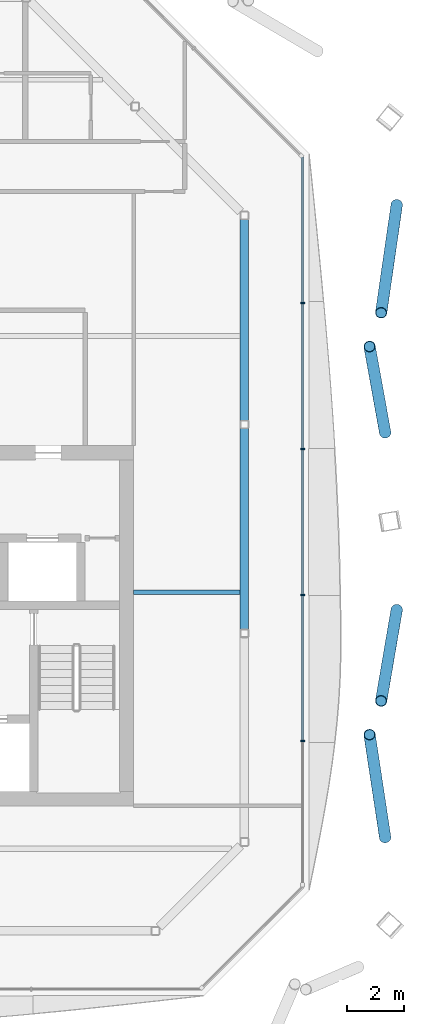
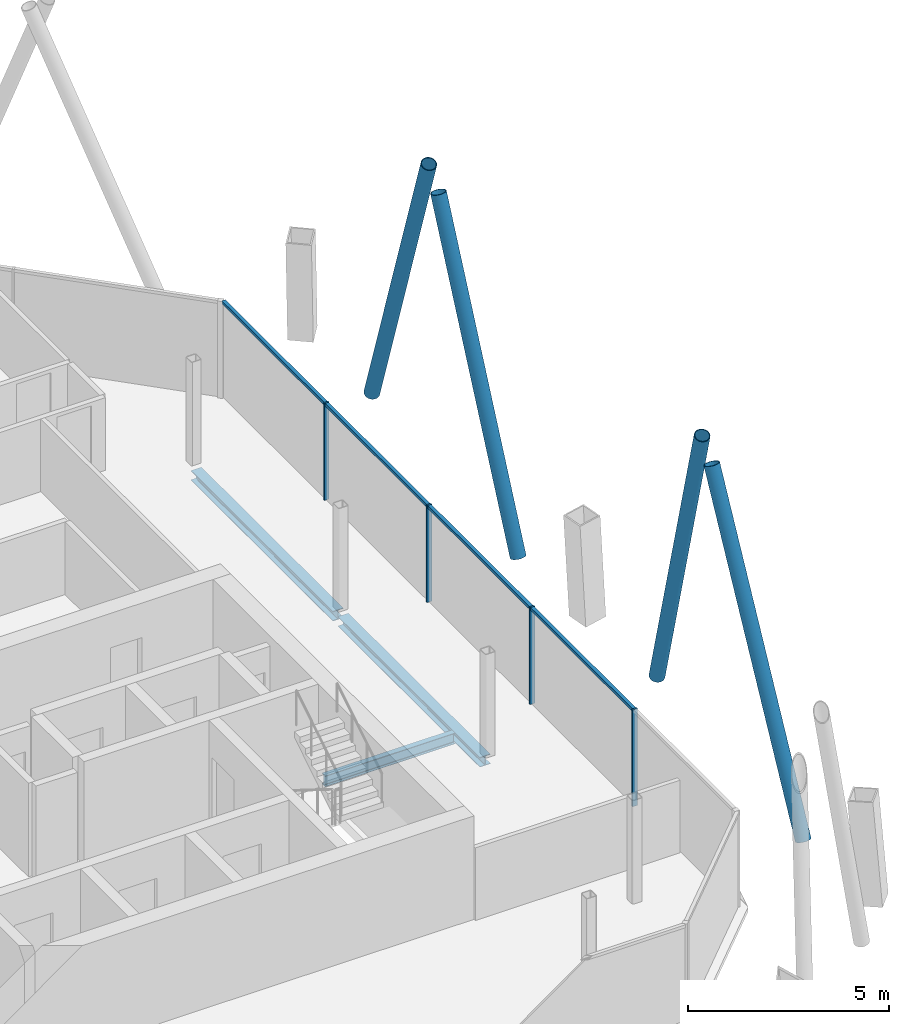
# One storey, part 8 of 17: 12 members, 3 beams, 1 element without a shape of its own.
"""IFC4 building model written with IfcOpenShell, lengths in metres."""

from ifc_helpers import new_model, si_unit, direction, frame, origin, origin_2d, place, context, subcontext, project, spatial, rectangle, hollow_circle, i_section, extrude, material, material_profile, profile_set, type_object, element, aggregate, save


model = new_model("IFC4")

# Units and contexts
model_context = context("Model", 3, precision=1e-05, world=origin(), true_north=direction((0.0, 1.0)))
body_context = subcontext(model_context, "Body", "Model", "MODEL_VIEW")
ifc_project = project(units=[si_unit("LENGTHUNIT", "METRE"), si_unit("AREAUNIT", "SQUARE_METRE"), si_unit("VOLUMEUNIT", "CUBIC_METRE"), si_unit("PLANEANGLEUNIT", "RADIAN"), si_unit("MASSUNIT", "GRAM", prefix="KILO")], contexts=[model_context])

# Site, building, storey
site_placement = place(None, origin())
site = spatial("IfcSite", under=ifc_project, at=site_placement, CompositionType="ELEMENT")
building_placement = place(site_placement, origin())
building = spatial("IfcBuilding", under=site, at=building_placement, Name="Tskaro Facet Tower", CompositionType="ELEMENT")
storey_placement = place(building_placement, frame((0.0, 0.0, 226.64990234375)))
storey = spatial("IfcBuildingStorey", under=building, at=storey_placement, Name="L58", CompositionType="ELEMENT", Elevation=226.64990234375)

# Members
ifc_material_1 = material(Name="Steel S355J2H", Category="steel")
ifc_material_profile_1 = material_profile(ifc_material_1, hollow_circle(Radius=0.203125, WallThickness=0.02001953125, at=origin_2d()), Name="CHS 406.4x20")
ifc_profile_set_1 = profile_set([ifc_material_profile_1], Name="Steel S355J2H")
member_type_1 = type_object("IfcMemberType", Name="CHS 406.4x20 brace", PredefinedType="BRACE", material=ifc_profile_set_1)
member_1_placement = place(storey_placement, frame((18.333740234375, -13.107666015625, 0.0), z_axis=(-0.054072495981, 0.356507387718, 0.932726459194), x_axis=(-0.988692397273, -0.14995780598, 0.0)))
element("IfcMember", 1, at=member_1_placement, inside=storey, type_object=member_type_1, Name="CHS 406.4x20 XB04A/5", PredefinedType="BRACE", context=body_context, shape_type="SweptSolid", body=[
    extrude(hollow_circle(Radius=0.203125, WallThickness=0.02001953125, at=origin_2d()), origin(), (0.0, 0.0, 1.0), 10.1318359375),
])
member_2_placement = place(storey_placement, frame((18.740234375, -5.114501953125, 0.0), z_axis=(-0.054849167921, -0.320372890398, 0.945702268093), x_axis=(0.985659069558, -0.168748921769, 0.0)))
element("IfcMember", 2, at=member_2_placement, inside=storey, type_object=member_type_1, Name="CHS 406.4x20 XB04B/5", PredefinedType="BRACE", context=body_context, shape_type="SweptSolid", body=[
    extrude(hollow_circle(Radius=0.203125, WallThickness=0.02001953125, at=origin_2d()), origin(), (0.0, 0.0, 1.0), 9.99267578125),
])
member_3_placement = place(storey_placement, frame((18.333740234375, 1.109130859375, 0.0), z_axis=(-0.055133151497, 0.304165960576, 0.951022294183), x_axis=(-0.983966414578, -0.178353847683, 0.0)))
element("IfcMember", 3, at=member_3_placement, inside=storey, type_object=member_type_1, Name="CHS 406.4x20 XB05A/5", PredefinedType="BRACE", context=body_context, shape_type="SweptSolid", body=[
    extrude(hollow_circle(Radius=0.203125, WallThickness=0.02001953125, at=origin_2d()), origin(), (0.0, 0.0, 1.0), 9.936767578125),
])
member_4_placement = place(storey_placement, frame((18.740234375, 9.102783203125, 0.0), z_axis=(-0.053750309182, -0.371798909261, 0.926755887672), x_axis=(0.989711015465, -0.143080766934, 0.0)))
element("IfcMember", 4, at=member_4_placement, inside=storey, type_object=member_type_1, Name="CHS 406.4x20 XB05B/5", PredefinedType="BRACE", context=body_context, shape_type="SweptSolid", body=[
    extrude(hollow_circle(Radius=0.203125, WallThickness=0.02001953125, at=origin_2d()), origin(), (0.0, 0.0, 1.0), 10.197021484375),
])

# Curtain wall, members
ifc_material_2 = material(Name="Bronze anodised aluminium 6063-T6", Category="aluminium")
curtain_wall_type = type_object("IfcCurtainWallType", Name="Bronze residence curtain wall (FW3)", PredefinedType="NOTDEFINED", material=ifc_material_2)
curtain_wall_placement = place(storey_placement, origin())
curtain_wall = element("IfcCurtainWall", 5, at=curtain_wall_placement, inside=storey, type_object=curtain_wall_type, Name="FW3 east facet L58", PredefinedType="NOTDEFINED")
ifc_material_profile_2 = material_profile(ifc_material_2, rectangle(XDim=0.050048828125, YDim=0.139892578125, at=origin_2d()), Name="Mullion 50x140")
ifc_profile_set_2 = profile_set([ifc_material_profile_2], Name="Bronze anodised aluminium 6063-T6")
member_type_2 = type_object("IfcMemberType", Name="FW3 bronze mullion 50x140", PredefinedType="MULLION", material=ifc_profile_set_2)
member_5_placement = place(storey_placement, frame((15.43701171875, -9.719482421875, 0.0), z_axis=(0.0, 0.0, 1.0), x_axis=(0.0, 1.0, 0.0)))
member_5 = element("IfcMember", 6, at=member_5_placement, type_object=member_type_2, Name="FW3 east mullion 1", PredefinedType="MULLION", context=body_context, shape_type="SweptSolid", body=[
    extrude(rectangle(XDim=0.050048828125, YDim=0.139892578125, at=origin_2d()), origin(), (0.0, 0.0, 1.0), 2.9501953125),
])
member_6_placement = place(storey_placement, frame((15.43701171875, -4.5947265625, 0.0), z_axis=(0.0, 0.0, 1.0), x_axis=(0.0, 1.0, 0.0)))
member_6 = element("IfcMember", 7, at=member_6_placement, type_object=member_type_2, Name="FW3 east mullion 2", PredefinedType="MULLION", context=body_context, shape_type="SweptSolid", body=[
    extrude(rectangle(XDim=0.050048828125, YDim=0.139892578125, at=origin_2d()), origin(), (0.0, 0.0, 1.0), 2.9501953125),
])
member_7_placement = place(storey_placement, frame((15.43701171875, 0.52978515625, 0.0), z_axis=(0.0, 0.0, 1.0), x_axis=(0.0, 1.0, 0.0)))
member_7 = element("IfcMember", 8, at=member_7_placement, type_object=member_type_2, Name="FW3 east mullion 3", PredefinedType="MULLION", context=body_context, shape_type="SweptSolid", body=[
    extrude(rectangle(XDim=0.050048828125, YDim=0.139892578125, at=origin_2d()), origin(), (0.0, 0.0, 1.0), 2.9501953125),
])
member_8_placement = place(storey_placement, frame((15.43701171875, 5.654296875, 0.0), z_axis=(0.0, 0.0, 1.0), x_axis=(0.0, 1.0, 0.0)))
member_8 = element("IfcMember", 9, at=member_8_placement, type_object=member_type_2, Name="FW3 east mullion 4", PredefinedType="MULLION", context=body_context, shape_type="SweptSolid", body=[
    extrude(rectangle(XDim=0.050048828125, YDim=0.139892578125, at=origin_2d()), origin(), (0.0, 0.0, 1.0), 2.9501953125),
])
ifc_material_profile_3 = material_profile(ifc_material_2, rectangle(XDim=0.10009765625, YDim=0.090087890625, at=origin_2d()), Name="Transom 100x90")
ifc_profile_set_3 = profile_set([ifc_material_profile_3], Name="Bronze anodised aluminium 6063-T6")
member_type_3 = type_object("IfcMemberType", Name="FW3 bronze transom 100x90", PredefinedType="USERDEFINED", material=ifc_profile_set_3)
member_9_placement = place(storey_placement, frame((15.43701171875, -9.6943359375, 2.905029296875), z_axis=(0.0, 1.0, 0.0), x_axis=(-1.0, 0.0, 0.0)))
member_9 = element("IfcMember", 10, at=member_9_placement, type_object=member_type_3, Name="FW3 east transom 2.1", ObjectType="TRANSOM", PredefinedType="USERDEFINED", context=body_context, shape_type="SweptSolid", body=[
    extrude(rectangle(XDim=0.10009765625, YDim=0.090087890625, at=origin_2d()), origin(), (0.0, 0.0, 1.0), 5.074462890625),
])
member_10_placement = place(storey_placement, frame((15.43701171875, -4.56982421875, 2.905029296875), z_axis=(0.0, 1.0, 0.0), x_axis=(-1.0, 0.0, 0.0)))
member_10 = element("IfcMember", 11, at=member_10_placement, type_object=member_type_3, Name="FW3 east transom 3.1", ObjectType="TRANSOM", PredefinedType="USERDEFINED", context=body_context, shape_type="SweptSolid", body=[
    extrude(rectangle(XDim=0.10009765625, YDim=0.090087890625, at=origin_2d()), origin(), (0.0, 0.0, 1.0), 5.07470703125),
])
member_11_placement = place(storey_placement, frame((15.43701171875, 0.5546875, 2.905029296875), z_axis=(0.0, 1.0, 0.0), x_axis=(-1.0, 0.0, 0.0)))
member_11 = element("IfcMember", 12, at=member_11_placement, type_object=member_type_3, Name="FW3 east transom 4.1", ObjectType="TRANSOM", PredefinedType="USERDEFINED", context=body_context, shape_type="SweptSolid", body=[
    extrude(rectangle(XDim=0.10009765625, YDim=0.090087890625, at=origin_2d()), origin(), (0.0, 0.0, 1.0), 5.07470703125),
])
member_12_placement = place(storey_placement, frame((15.43701171875, 5.679443359375, 2.905029296875), z_axis=(0.0, 1.0, 0.0), x_axis=(-1.0, 0.0, 0.0)))
member_12 = element("IfcMember", 13, at=member_12_placement, type_object=member_type_3, Name="FW3 east transom 5.1", ObjectType="TRANSOM", PredefinedType="USERDEFINED", context=body_context, shape_type="SweptSolid", body=[
    extrude(rectangle(XDim=0.10009765625, YDim=0.090087890625, at=origin_2d()), origin(), (0.0, 0.0, 1.0), 5.099609375),
])
aggregate(curtain_wall, [member_5, member_6, member_7, member_8, member_9, member_10, member_11, member_12])

# Beams
ifc_material_3 = material(Name="Steel S355J2", Category="steel")
ifc_material_profile_4 = material_profile(ifc_material_3, i_section(OverallWidth=0.300048828125, OverallDepth=0.300048828125, WebThickness=0.010986328125, FlangeThickness=0.01904296875, FilletRadius=0.027099609375, at=origin_2d()), Name="HE 300 B")
ifc_profile_set_4 = profile_set([ifc_material_profile_4], Name="Steel S355J2")
beam_type_1 = type_object("IfcBeamType", Name="HE 300 B ring beam", PredefinedType="BEAM", material=ifc_profile_set_4)
beam_1_placement = place(storey_placement, frame((13.39111328125, -5.806884765625, -0.289794921875), z_axis=(0.0, 1.0, 0.0), x_axis=(-1.0, 0.0, 0.0)))
element("IfcBeam", 14, at=beam_1_placement, inside=storey, type_object=beam_type_1, Name="HE 300 B EB6-5", PredefinedType="BEAM", context=body_context, shape_type="SweptSolid", body=[
    extrude(i_section(OverallWidth=0.300048828125, OverallDepth=0.300048828125, WebThickness=0.010986328125, FlangeThickness=0.01904296875, FilletRadius=0.027099609375, at=origin_2d()), origin(), (0.0, 0.0, 1.0), 7.07080078125),
])
beam_2_placement = place(storey_placement, frame((13.39111328125, 1.52392578125, -0.289794921875), z_axis=(0.0, 1.0, 0.0), x_axis=(-1.0, 0.0, 0.0)))
element("IfcBeam", 15, at=beam_2_placement, inside=storey, type_object=beam_type_1, Name="HE 300 B EB7-5", PredefinedType="BEAM", context=body_context, shape_type="SweptSolid", body=[
    extrude(i_section(OverallWidth=0.300048828125, OverallDepth=0.300048828125, WebThickness=0.010986328125, FlangeThickness=0.01904296875, FilletRadius=0.027099609375, at=origin_2d()), origin(), (0.0, 0.0, 1.0), 7.071044921875),
])
ifc_material_profile_5 = material_profile(ifc_material_3, i_section(OverallWidth=0.159912109375, OverallDepth=0.330078125, WebThickness=0.007568359375, FlangeThickness=0.011474609375, FilletRadius=0.01806640625, at=origin_2d()), Name="IPE 330")
ifc_profile_set_5 = profile_set([ifc_material_profile_5], Name="Steel S355J2")
beam_type_2 = type_object("IfcBeamType", Name="IPE 330 secondary beam", PredefinedType="BEAM", material=ifc_profile_set_5)
beam_3_placement = place(storey_placement, frame((9.5, -4.5, -0.304931640625), z_axis=(1.0, 0.0, 0.0), x_axis=(0.0, 1.0, 0.0)))
element("IfcBeam", 16, at=beam_3_placement, inside=storey, type_object=beam_type_2, Name="IPE 330 SB3a-2-5", PredefinedType="BEAM", context=body_context, shape_type="SweptSolid", body=[
    extrude(i_section(OverallWidth=0.159912109375, OverallDepth=0.330078125, WebThickness=0.007568359375, FlangeThickness=0.011474609375, FilletRadius=0.01806640625, at=origin_2d()), origin(), (0.0, 0.0, 1.0), 3.740966796875),
])

save(model, "model.ifc")
